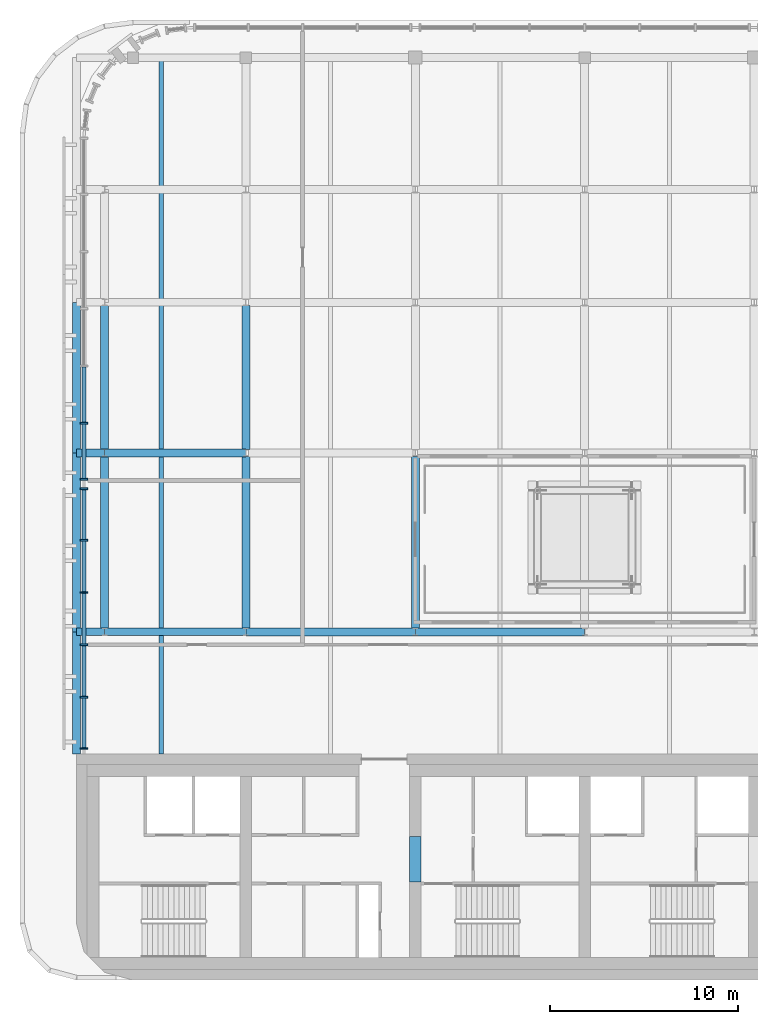
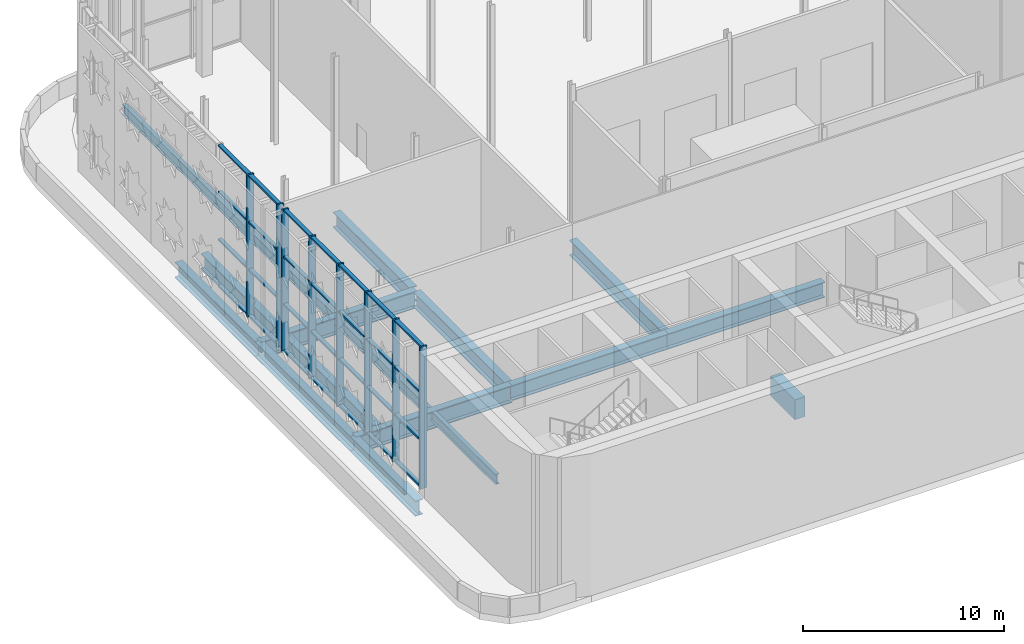
# One storey, part 5 of 26: 36 members, 16 beams, 2 elements without a shape of their own.
"""IFC4 building model written with IfcOpenShell, lengths in metres."""

from ifc_helpers import new_model, si_unit, direction, frame, origin, origin_2d, place, context, subcontext, project, spatial, rectangle, i_section, extrude, material, material_profile, profile_set, type_object, element, aggregate, save


model = new_model("IFC4")

# Units and contexts
model_context = context("Model", 3, precision=1e-05, world=origin(), true_north=direction((0.0, 1.0)))
body_context = subcontext(model_context, "Body", "Model", "MODEL_VIEW")
ifc_project = project(units=[si_unit("LENGTHUNIT", "METRE"), si_unit("AREAUNIT", "SQUARE_METRE"), si_unit("VOLUMEUNIT", "CUBIC_METRE"), si_unit("PLANEANGLEUNIT", "RADIAN"), si_unit("MASSUNIT", "GRAM", prefix="KILO")], contexts=[model_context])

# Site, building, storey
site_placement = place(None, origin())
site = spatial("IfcSite", under=ifc_project, at=site_placement, CompositionType="ELEMENT")
building_placement = place(site_placement, origin())
building = spatial("IfcBuilding", under=site, at=building_placement, Name="Zellij Exchange Tower", CompositionType="ELEMENT")
storey_placement = place(building_placement, frame((0.0, 0.0, 296.5)))
storey = spatial("IfcBuildingStorey", under=building, at=storey_placement, Name="L70", CompositionType="ELEMENT", Elevation=296.5)

# Beam
ifc_material_1 = material(Name="Concrete C50/60", Category="concrete")
ifc_material_profile_1 = material_profile(ifc_material_1, rectangle(XDim=0.60009765625, YDim=1.199951171875, at=origin_2d()), Name="CORE-CB 600x1200 C50/60")
ifc_profile_set_1 = profile_set([ifc_material_profile_1], Name="Concrete C50/60")
beam_type_1 = type_object("IfcBeamType", Name="CORE-CB 600x1200 C50/60", PredefinedType="BEAM", material=ifc_profile_set_1)
beam_1_placement = place(storey_placement, frame((-9.0, -8.800048828125, 3.0), z_axis=(0.0, 1.0, 0.0), x_axis=(-1.0, 0.0, 0.0)))
element("IfcBeam", 1, at=beam_1_placement, inside=storey, type_object=beam_type_1, Name="Core coupling beam x -9 L70", PredefinedType="BEAM", context=body_context, shape_type="SweptSolid", body=[
    extrude(rectangle(XDim=0.60009765625, YDim=1.199951171875, at=origin_2d()), origin(), (0.0, 0.0, 1.0), 2.425048828125),
])

# Curtain wall, members
ifc_material_2 = material(Name="Bronze anodised aluminium frame, bronze laminated glass", Category="aluminium")
curtain_wall_type = type_object("IfcCurtainWallType", Name="ENV-CW5 Damper-gallery glazing", PredefinedType="NOTDEFINED", material=ifc_material_2)
curtain_wall_1_placement = place(storey_placement, origin())
curtain_wall_1 = element("IfcCurtainWall", 2, at=curtain_wall_1_placement, inside=storey, type_object=curtain_wall_type, Name="cw.L70.18a", PredefinedType="NOTDEFINED")
ifc_material_3 = material(Name="Aluminium, bronze anodised", Category="aluminium")
ifc_material_profile_2 = material_profile(ifc_material_3, rectangle(XDim=0.10009765625, YDim=0.39990234375, at=origin_2d()), Name="AL 100x400")
ifc_profile_set_2 = profile_set([ifc_material_profile_2], Name="Aluminium, bronze anodised")
member_type_1 = type_object("IfcMemberType", Name="ENV-CW5M Mullion 100x400", PredefinedType="MULLION", material=ifc_profile_set_2)
member_1_placement = place(storey_placement, frame((-26.60009765625, 15.580810546875, 0.0), z_axis=(0.0, 0.0, 1.0), x_axis=(0.0, -1.0, 0.0)))
member_1 = element("IfcMember", 3, at=member_1_placement, type_object=member_type_1, Name="CW5 mullion 6", PredefinedType="MULLION", context=body_context, shape_type="SweptSolid", body=[
    extrude(rectangle(XDim=0.10009765625, YDim=0.39990234375, at=origin_2d()), origin(), (0.0, 0.0, 1.0), 8.64990234375),
])
member_2_placement = place(storey_placement, frame((-26.60009765625, 12.59228515625, 0.0), z_axis=(0.0, 0.0, 1.0), x_axis=(0.0, -1.0, 0.0)))
member_2 = element("IfcMember", 4, at=member_2_placement, type_object=member_type_1, Name="CW5 mullion 7", PredefinedType="MULLION", context=body_context, shape_type="SweptSolid", body=[
    extrude(rectangle(XDim=0.10009765625, YDim=0.39990234375, at=origin_2d()), origin(), (0.0, 0.0, 1.0), 8.64990234375),
])

curtain_wall_2_placement = place(storey_placement, origin())
curtain_wall_2 = element("IfcCurtainWall", 5, at=curtain_wall_2_placement, inside=storey, type_object=curtain_wall_type, Name="cw.L70.18b", PredefinedType="NOTDEFINED")
member_3_placement = place(storey_placement, frame((-26.60009765625, 12.09228515625, 0.0), z_axis=(0.0, 0.0, 1.0), x_axis=(0.0, -1.0, 0.0)))
member_3 = element("IfcMember", 6, at=member_3_placement, type_object=member_type_1, Name="CW5 mullion 1", PredefinedType="MULLION", context=body_context, shape_type="SweptSolid", body=[
    extrude(rectangle(XDim=0.10009765625, YDim=0.39990234375, at=origin_2d()), origin(), (0.0, 0.0, 1.0), 8.64990234375),
])
member_4_placement = place(storey_placement, frame((-26.60009765625, 9.36376953125, 0.0), z_axis=(0.0, 0.0, 1.0), x_axis=(0.0, -1.0, 0.0)))
member_4 = element("IfcMember", 7, at=member_4_placement, type_object=member_type_1, Name="CW5 mullion 2", PredefinedType="MULLION", context=body_context, shape_type="SweptSolid", body=[
    extrude(rectangle(XDim=0.10009765625, YDim=0.39990234375, at=origin_2d()), origin(), (0.0, 0.0, 1.0), 8.64990234375),
])
member_5_placement = place(storey_placement, frame((-26.60009765625, 6.585205078125, 0.0), z_axis=(0.0, 0.0, 1.0), x_axis=(0.0, -1.0, 0.0)))
member_5 = element("IfcMember", 8, at=member_5_placement, type_object=member_type_1, Name="CW5 mullion 3", PredefinedType="MULLION", context=body_context, shape_type="SweptSolid", body=[
    extrude(rectangle(XDim=0.10009765625, YDim=0.39990234375, at=origin_2d()), origin(), (0.0, 0.0, 1.0), 8.64990234375),
])
member_6_placement = place(storey_placement, frame((-26.60009765625, 3.806884765625, 0.0), z_axis=(0.0, 0.0, 1.0), x_axis=(0.0, -1.0, 0.0)))
member_6 = element("IfcMember", 9, at=member_6_placement, type_object=member_type_1, Name="CW5 mullion 4", PredefinedType="MULLION", context=body_context, shape_type="SweptSolid", body=[
    extrude(rectangle(XDim=0.10009765625, YDim=0.39990234375, at=origin_2d()), origin(), (0.0, 0.0, 1.0), 8.64990234375),
])
member_7_placement = place(storey_placement, frame((-26.60009765625, 1.0283203125, 0.0), z_axis=(0.0, 0.0, 1.0), x_axis=(0.0, -1.0, 0.0)))
member_7 = element("IfcMember", 10, at=member_7_placement, type_object=member_type_1, Name="CW5 mullion 5", PredefinedType="MULLION", context=body_context, shape_type="SweptSolid", body=[
    extrude(rectangle(XDim=0.10009765625, YDim=0.39990234375, at=origin_2d()), origin(), (0.0, 0.0, 1.0), 8.64990234375),
])
member_8_placement = place(storey_placement, frame((-26.60009765625, -1.699951171875, 0.0), z_axis=(0.0, 0.0, 1.0), x_axis=(0.0, -1.0, 0.0)))
member_8 = element("IfcMember", 11, at=member_8_placement, type_object=member_type_1, Name="CW5 mullion 6", PredefinedType="MULLION", context=body_context, shape_type="SweptSolid", body=[
    extrude(rectangle(XDim=0.10009765625, YDim=0.39990234375, at=origin_2d()), origin(), (0.0, 0.0, 1.0), 8.64990234375),
])

# Member
ifc_material_profile_3 = material_profile(ifc_material_3, rectangle(XDim=0.219970703125, YDim=0.10009765625, at=origin_2d()), Name="AL 220x100")
ifc_profile_set_3 = profile_set([ifc_material_profile_3], Name="Aluminium, bronze anodised")
member_type_2 = type_object("IfcMemberType", Name="ENV-CW5T Transom 220x100", PredefinedType="USERDEFINED", material=ifc_profile_set_3)
member_9_placement = place(storey_placement, frame((-26.60009765625, 18.5693359375, 0.050048828125), z_axis=(0.0, -1.0, 0.0), x_axis=(1.0, 0.0, 0.0)))
member_9 = element("IfcMember", 12, at=member_9_placement, type_object=member_type_2, Name="CW5 transom 5.1", ObjectType="TRANSOM", PredefinedType="USERDEFINED", context=body_context, shape_type="SweptSolid", body=[
    extrude(rectangle(XDim=0.219970703125, YDim=0.10009765625, at=origin_2d()), origin(), (0.0, 0.0, 1.0), 2.9384765625),
])

member_10_placement = place(storey_placement, frame((-26.60009765625, 18.5693359375, 2.88330078125), z_axis=(0.0, -1.0, 0.0), x_axis=(1.0, 0.0, 0.0)))
member_10 = element("IfcMember", 13, at=member_10_placement, type_object=member_type_2, Name="CW5 transom 5.2", ObjectType="TRANSOM", PredefinedType="USERDEFINED", context=body_context, shape_type="SweptSolid", body=[
    extrude(rectangle(XDim=0.219970703125, YDim=0.10009765625, at=origin_2d()), origin(), (0.0, 0.0, 1.0), 2.9384765625),
])

member_11_placement = place(storey_placement, frame((-26.60009765625, 18.5693359375, 5.7666015625), z_axis=(0.0, -1.0, 0.0), x_axis=(1.0, 0.0, 0.0)))
member_11 = element("IfcMember", 14, at=member_11_placement, type_object=member_type_2, Name="CW5 transom 5.3", ObjectType="TRANSOM", PredefinedType="USERDEFINED", context=body_context, shape_type="SweptSolid", body=[
    extrude(rectangle(XDim=0.219970703125, YDim=0.10009765625, at=origin_2d()), origin(), (0.0, 0.0, 1.0), 2.9384765625),
])

member_12_placement = place(storey_placement, frame((-26.60009765625, 18.5693359375, 8.60009765625), z_axis=(0.0, -1.0, 0.0), x_axis=(1.0, 0.0, 0.0)))
member_12 = element("IfcMember", 15, at=member_12_placement, type_object=member_type_2, Name="CW5 transom 5.4", ObjectType="TRANSOM", PredefinedType="USERDEFINED", context=body_context, shape_type="SweptSolid", body=[
    extrude(rectangle(XDim=0.219970703125, YDim=0.10009765625, at=origin_2d()), origin(), (0.0, 0.0, 1.0), 2.9384765625),
])

member_13_placement = place(storey_placement, frame((-26.60009765625, 15.53076171875, 0.050048828125), z_axis=(0.0, -1.0, 0.0), x_axis=(1.0, 0.0, 0.0)))
member_13 = element("IfcMember", 16, at=member_13_placement, type_object=member_type_2, Name="CW5 transom 6.1", ObjectType="TRANSOM", PredefinedType="USERDEFINED", context=body_context, shape_type="SweptSolid", body=[
    extrude(rectangle(XDim=0.219970703125, YDim=0.10009765625, at=origin_2d()), origin(), (0.0, 0.0, 1.0), 2.888671875),
])

member_14_placement = place(storey_placement, frame((-26.60009765625, 15.53076171875, 2.88330078125), z_axis=(0.0, -1.0, 0.0), x_axis=(1.0, 0.0, 0.0)))
member_14 = element("IfcMember", 17, at=member_14_placement, type_object=member_type_2, Name="CW5 transom 6.2", ObjectType="TRANSOM", PredefinedType="USERDEFINED", context=body_context, shape_type="SweptSolid", body=[
    extrude(rectangle(XDim=0.219970703125, YDim=0.10009765625, at=origin_2d()), origin(), (0.0, 0.0, 1.0), 2.888671875),
])

member_15_placement = place(storey_placement, frame((-26.60009765625, 15.53076171875, 5.7666015625), z_axis=(0.0, -1.0, 0.0), x_axis=(1.0, 0.0, 0.0)))
member_15 = element("IfcMember", 18, at=member_15_placement, type_object=member_type_2, Name="CW5 transom 6.3", ObjectType="TRANSOM", PredefinedType="USERDEFINED", context=body_context, shape_type="SweptSolid", body=[
    extrude(rectangle(XDim=0.219970703125, YDim=0.10009765625, at=origin_2d()), origin(), (0.0, 0.0, 1.0), 2.888671875),
])

member_16_placement = place(storey_placement, frame((-26.60009765625, 15.53076171875, 8.60009765625), z_axis=(0.0, -1.0, 0.0), x_axis=(1.0, 0.0, 0.0)))
member_16 = element("IfcMember", 19, at=member_16_placement, type_object=member_type_2, Name="CW5 transom 6.4", ObjectType="TRANSOM", PredefinedType="USERDEFINED", context=body_context, shape_type="SweptSolid", body=[
    extrude(rectangle(XDim=0.219970703125, YDim=0.10009765625, at=origin_2d()), origin(), (0.0, 0.0, 1.0), 2.888671875),
])

aggregate(curtain_wall_1, [member_1, member_2, member_9, member_10, member_11, member_12, member_13, member_14, member_15, member_16])

member_17_placement = place(storey_placement, frame((-26.60009765625, 12.042236328125, 0.050048828125), z_axis=(0.0, -1.0, 0.0), x_axis=(1.0, 0.0, 0.0)))
member_17 = element("IfcMember", 20, at=member_17_placement, type_object=member_type_2, Name="CW5 transom 1.1", ObjectType="TRANSOM", PredefinedType="USERDEFINED", context=body_context, shape_type="SweptSolid", body=[
    extrude(rectangle(XDim=0.219970703125, YDim=0.10009765625, at=origin_2d()), origin(), (0.0, 0.0, 1.0), 2.62841796875),
])

member_18_placement = place(storey_placement, frame((-26.60009765625, 12.042236328125, 2.88330078125), z_axis=(0.0, -1.0, 0.0), x_axis=(1.0, 0.0, 0.0)))
member_18 = element("IfcMember", 21, at=member_18_placement, type_object=member_type_2, Name="CW5 transom 1.2", ObjectType="TRANSOM", PredefinedType="USERDEFINED", context=body_context, shape_type="SweptSolid", body=[
    extrude(rectangle(XDim=0.219970703125, YDim=0.10009765625, at=origin_2d()), origin(), (0.0, 0.0, 1.0), 2.62841796875),
])

member_19_placement = place(storey_placement, frame((-26.60009765625, 12.042236328125, 5.7666015625), z_axis=(0.0, -1.0, 0.0), x_axis=(1.0, 0.0, 0.0)))
member_19 = element("IfcMember", 22, at=member_19_placement, type_object=member_type_2, Name="CW5 transom 1.3", ObjectType="TRANSOM", PredefinedType="USERDEFINED", context=body_context, shape_type="SweptSolid", body=[
    extrude(rectangle(XDim=0.219970703125, YDim=0.10009765625, at=origin_2d()), origin(), (0.0, 0.0, 1.0), 2.62841796875),
])

member_20_placement = place(storey_placement, frame((-26.60009765625, 12.042236328125, 8.60009765625), z_axis=(0.0, -1.0, 0.0), x_axis=(1.0, 0.0, 0.0)))
member_20 = element("IfcMember", 23, at=member_20_placement, type_object=member_type_2, Name="CW5 transom 1.4", ObjectType="TRANSOM", PredefinedType="USERDEFINED", context=body_context, shape_type="SweptSolid", body=[
    extrude(rectangle(XDim=0.219970703125, YDim=0.10009765625, at=origin_2d()), origin(), (0.0, 0.0, 1.0), 2.62841796875),
])

member_21_placement = place(storey_placement, frame((-26.60009765625, 9.313720703125, 0.050048828125), z_axis=(0.0, -1.0, 0.0), x_axis=(1.0, 0.0, 0.0)))
member_21 = element("IfcMember", 24, at=member_21_placement, type_object=member_type_2, Name="CW5 transom 2.1", ObjectType="TRANSOM", PredefinedType="USERDEFINED", context=body_context, shape_type="SweptSolid", body=[
    extrude(rectangle(XDim=0.219970703125, YDim=0.10009765625, at=origin_2d()), origin(), (0.0, 0.0, 1.0), 2.678466796875),
])

member_22_placement = place(storey_placement, frame((-26.60009765625, 9.313720703125, 2.88330078125), z_axis=(0.0, -1.0, 0.0), x_axis=(1.0, 0.0, 0.0)))
member_22 = element("IfcMember", 25, at=member_22_placement, type_object=member_type_2, Name="CW5 transom 2.2", ObjectType="TRANSOM", PredefinedType="USERDEFINED", context=body_context, shape_type="SweptSolid", body=[
    extrude(rectangle(XDim=0.219970703125, YDim=0.10009765625, at=origin_2d()), origin(), (0.0, 0.0, 1.0), 2.678466796875),
])

member_23_placement = place(storey_placement, frame((-26.60009765625, 9.313720703125, 5.7666015625), z_axis=(0.0, -1.0, 0.0), x_axis=(1.0, 0.0, 0.0)))
member_23 = element("IfcMember", 26, at=member_23_placement, type_object=member_type_2, Name="CW5 transom 2.3", ObjectType="TRANSOM", PredefinedType="USERDEFINED", context=body_context, shape_type="SweptSolid", body=[
    extrude(rectangle(XDim=0.219970703125, YDim=0.10009765625, at=origin_2d()), origin(), (0.0, 0.0, 1.0), 2.678466796875),
])

member_24_placement = place(storey_placement, frame((-26.60009765625, 9.313720703125, 8.60009765625), z_axis=(0.0, -1.0, 0.0), x_axis=(1.0, 0.0, 0.0)))
member_24 = element("IfcMember", 27, at=member_24_placement, type_object=member_type_2, Name="CW5 transom 2.4", ObjectType="TRANSOM", PredefinedType="USERDEFINED", context=body_context, shape_type="SweptSolid", body=[
    extrude(rectangle(XDim=0.219970703125, YDim=0.10009765625, at=origin_2d()), origin(), (0.0, 0.0, 1.0), 2.678466796875),
])

member_25_placement = place(storey_placement, frame((-26.60009765625, 6.535400390625, 0.050048828125), z_axis=(0.0, -1.0, 0.0), x_axis=(1.0, 0.0, 0.0)))
member_25 = element("IfcMember", 28, at=member_25_placement, type_object=member_type_2, Name="CW5 transom 3.1", ObjectType="TRANSOM", PredefinedType="USERDEFINED", context=body_context, shape_type="SweptSolid", body=[
    extrude(rectangle(XDim=0.219970703125, YDim=0.10009765625, at=origin_2d()), origin(), (0.0, 0.0, 1.0), 2.678466796875),
])

member_26_placement = place(storey_placement, frame((-26.60009765625, 6.535400390625, 2.88330078125), z_axis=(0.0, -1.0, 0.0), x_axis=(1.0, 0.0, 0.0)))
member_26 = element("IfcMember", 29, at=member_26_placement, type_object=member_type_2, Name="CW5 transom 3.2", ObjectType="TRANSOM", PredefinedType="USERDEFINED", context=body_context, shape_type="SweptSolid", body=[
    extrude(rectangle(XDim=0.219970703125, YDim=0.10009765625, at=origin_2d()), origin(), (0.0, 0.0, 1.0), 2.678466796875),
])

member_27_placement = place(storey_placement, frame((-26.60009765625, 6.535400390625, 5.7666015625), z_axis=(0.0, -1.0, 0.0), x_axis=(1.0, 0.0, 0.0)))
member_27 = element("IfcMember", 30, at=member_27_placement, type_object=member_type_2, Name="CW5 transom 3.3", ObjectType="TRANSOM", PredefinedType="USERDEFINED", context=body_context, shape_type="SweptSolid", body=[
    extrude(rectangle(XDim=0.219970703125, YDim=0.10009765625, at=origin_2d()), origin(), (0.0, 0.0, 1.0), 2.678466796875),
])

member_28_placement = place(storey_placement, frame((-26.60009765625, 6.535400390625, 8.60009765625), z_axis=(0.0, -1.0, 0.0), x_axis=(1.0, 0.0, 0.0)))
member_28 = element("IfcMember", 31, at=member_28_placement, type_object=member_type_2, Name="CW5 transom 3.4", ObjectType="TRANSOM", PredefinedType="USERDEFINED", context=body_context, shape_type="SweptSolid", body=[
    extrude(rectangle(XDim=0.219970703125, YDim=0.10009765625, at=origin_2d()), origin(), (0.0, 0.0, 1.0), 2.678466796875),
])

member_29_placement = place(storey_placement, frame((-26.60009765625, 3.7568359375, 0.050048828125), z_axis=(0.0, -1.0, 0.0), x_axis=(1.0, 0.0, 0.0)))
member_29 = element("IfcMember", 32, at=member_29_placement, type_object=member_type_2, Name="CW5 transom 4.1", ObjectType="TRANSOM", PredefinedType="USERDEFINED", context=body_context, shape_type="SweptSolid", body=[
    extrude(rectangle(XDim=0.219970703125, YDim=0.10009765625, at=origin_2d()), origin(), (0.0, 0.0, 1.0), 2.678466796875),
])

member_30_placement = place(storey_placement, frame((-26.60009765625, 3.7568359375, 2.88330078125), z_axis=(0.0, -1.0, 0.0), x_axis=(1.0, 0.0, 0.0)))
member_30 = element("IfcMember", 33, at=member_30_placement, type_object=member_type_2, Name="CW5 transom 4.2", ObjectType="TRANSOM", PredefinedType="USERDEFINED", context=body_context, shape_type="SweptSolid", body=[
    extrude(rectangle(XDim=0.219970703125, YDim=0.10009765625, at=origin_2d()), origin(), (0.0, 0.0, 1.0), 2.678466796875),
])

member_31_placement = place(storey_placement, frame((-26.60009765625, 3.7568359375, 5.7666015625), z_axis=(0.0, -1.0, 0.0), x_axis=(1.0, 0.0, 0.0)))
member_31 = element("IfcMember", 34, at=member_31_placement, type_object=member_type_2, Name="CW5 transom 4.3", ObjectType="TRANSOM", PredefinedType="USERDEFINED", context=body_context, shape_type="SweptSolid", body=[
    extrude(rectangle(XDim=0.219970703125, YDim=0.10009765625, at=origin_2d()), origin(), (0.0, 0.0, 1.0), 2.678466796875),
])

member_32_placement = place(storey_placement, frame((-26.60009765625, 3.7568359375, 8.60009765625), z_axis=(0.0, -1.0, 0.0), x_axis=(1.0, 0.0, 0.0)))
member_32 = element("IfcMember", 35, at=member_32_placement, type_object=member_type_2, Name="CW5 transom 4.4", ObjectType="TRANSOM", PredefinedType="USERDEFINED", context=body_context, shape_type="SweptSolid", body=[
    extrude(rectangle(XDim=0.219970703125, YDim=0.10009765625, at=origin_2d()), origin(), (0.0, 0.0, 1.0), 2.678466796875),
])

member_33_placement = place(storey_placement, frame((-26.60009765625, 0.978515625, 0.050048828125), z_axis=(0.0, -1.0, 0.0), x_axis=(1.0, 0.0, 0.0)))
member_33 = element("IfcMember", 36, at=member_33_placement, type_object=member_type_2, Name="CW5 transom 5.1", ObjectType="TRANSOM", PredefinedType="USERDEFINED", context=body_context, shape_type="SweptSolid", body=[
    extrude(rectangle(XDim=0.219970703125, YDim=0.10009765625, at=origin_2d()), origin(), (0.0, 0.0, 1.0), 2.62841796875),
])

member_34_placement = place(storey_placement, frame((-26.60009765625, 0.978515625, 2.88330078125), z_axis=(0.0, -1.0, 0.0), x_axis=(1.0, 0.0, 0.0)))
member_34 = element("IfcMember", 37, at=member_34_placement, type_object=member_type_2, Name="CW5 transom 5.2", ObjectType="TRANSOM", PredefinedType="USERDEFINED", context=body_context, shape_type="SweptSolid", body=[
    extrude(rectangle(XDim=0.219970703125, YDim=0.10009765625, at=origin_2d()), origin(), (0.0, 0.0, 1.0), 2.62841796875),
])

member_35_placement = place(storey_placement, frame((-26.60009765625, 0.978515625, 5.7666015625), z_axis=(0.0, -1.0, 0.0), x_axis=(1.0, 0.0, 0.0)))
member_35 = element("IfcMember", 38, at=member_35_placement, type_object=member_type_2, Name="CW5 transom 5.3", ObjectType="TRANSOM", PredefinedType="USERDEFINED", context=body_context, shape_type="SweptSolid", body=[
    extrude(rectangle(XDim=0.219970703125, YDim=0.10009765625, at=origin_2d()), origin(), (0.0, 0.0, 1.0), 2.62841796875),
])

member_36_placement = place(storey_placement, frame((-26.60009765625, 0.978515625, 8.60009765625), z_axis=(0.0, -1.0, 0.0), x_axis=(1.0, 0.0, 0.0)))
member_36 = element("IfcMember", 39, at=member_36_placement, type_object=member_type_2, Name="CW5 transom 5.4", ObjectType="TRANSOM", PredefinedType="USERDEFINED", context=body_context, shape_type="SweptSolid", body=[
    extrude(rectangle(XDim=0.219970703125, YDim=0.10009765625, at=origin_2d()), origin(), (0.0, 0.0, 1.0), 2.62841796875),
])

aggregate(curtain_wall_2, [member_3, member_4, member_5, member_6, member_7, member_8, member_17, member_18, member_19, member_20, member_21, member_22, member_23, member_24, member_25, member_26, member_27, member_28, member_29, member_30, member_31, member_32, member_33, member_34, member_35, member_36])

# Beams
ifc_material_4 = material(Name="Structural steel ASTM A992 Gr 50", Category="steel")
ifc_material_profile_4 = material_profile(ifc_material_4, i_section(OverallWidth=0.22900390625, OverallDepth=0.612060546875, WebThickness=0.011962890625, FlangeThickness=0.01953125, at=origin_2d()), Name="W24x84")
ifc_profile_set_4 = profile_set([ifc_material_profile_4], Name="Structural steel ASTM A992 Gr 50")
beam_type_2 = type_object("IfcBeamType", Name="STR-BEAM W24x84", PredefinedType="BEAM", material=ifc_profile_set_4)
beam_2_placement = place(storey_placement, frame((-22.5, -2.0, -0.7060546875), z_axis=(0.0, 1.0, 0.0), x_axis=(-1.0, 0.0, 0.0)))
element("IfcBeam", 40, at=beam_2_placement, inside=storey, type_object=beam_type_2, Name="B6", PredefinedType="BEAM", context=body_context, shape_type="SweptSolid", body=[
    extrude(i_section(OverallWidth=0.22900390625, OverallDepth=0.612060546875, WebThickness=0.011962890625, FlangeThickness=0.01953125, at=origin_2d()), origin(), (0.0, 0.0, 1.0), 37.20458984375),
])
ifc_material_5 = material(Name="Structural steel ASTM A913 Gr 65", Category="steel")
ifc_material_profile_5 = material_profile(ifc_material_5, i_section(OverallWidth=0.424072265625, OverallDepth=0.93212890625, WebThickness=0.02392578125, FlangeThickness=0.042724609375, at=origin_2d()), Name="W36x300")
ifc_profile_set_5 = profile_set([ifc_material_profile_5], Name="Structural steel ASTM A913 Gr 65")
beam_type_3 = type_object("IfcBeamType", Name="STR-GIRDER W36x300", PredefinedType="BEAM", material=ifc_profile_set_5)
for number, where, z_axis, x_axis, name in (
    (41, (-18.0, 4.5, -0.8662109375), (1.0, 0.0, 0.0), (0.0, 1.0, 0.0), "G5"),
    (42, (-9.0, 4.5, -0.8662109375), (1.0, 0.0, 0.0), (0.0, 1.0, 0.0), "G5"),
):
    element("IfcBeam", number, at=place(storey_placement, frame(where, z_axis=z_axis, x_axis=x_axis)), inside=storey, type_object=beam_type_3, Name=name, PredefinedType="BEAM", context=body_context, shape_type="SweptSolid", body=[
        extrude(i_section(OverallWidth=0.424072265625, OverallDepth=0.93212890625, WebThickness=0.02392578125, FlangeThickness=0.042724609375, at=origin_2d()), origin(), (0.0, 0.0, 1.0), 9.0),
    ])
beam_3_placement = place(storey_placement, frame((-27.0, -2.0, -0.8662109375), z_axis=(0.0, 1.0, 0.0), x_axis=(-1.0, 0.0, 0.0)))
element("IfcBeam", 43, at=beam_3_placement, inside=storey, type_object=beam_type_3, Name="G5", PredefinedType="BEAM", context=body_context, shape_type="SweptSolid", body=[
    extrude(i_section(OverallWidth=0.424072265625, OverallDepth=0.93212890625, WebThickness=0.02392578125, FlangeThickness=0.042724609375, at=origin_2d()), origin(), (0.0, 0.0, 1.0), 6.5),
])
beam_4_placement = place(storey_placement, frame((-27.0, 4.5, -0.8662109375), z_axis=(0.0, 1.0, 0.0), x_axis=(-1.0, 0.0, 0.0)))
element("IfcBeam", 44, at=beam_4_placement, inside=storey, type_object=beam_type_3, Name="G5", PredefinedType="BEAM", context=body_context, shape_type="SweptSolid", body=[
    extrude(i_section(OverallWidth=0.424072265625, OverallDepth=0.93212890625, WebThickness=0.02392578125, FlangeThickness=0.042724609375, at=origin_2d()), origin(), (0.0, 0.0, 1.0), 9.5),
])
beam_5_placement = place(storey_placement, frame((-27.0, 14.0, -0.8662109375), z_axis=(0.0, 1.0, 0.0), x_axis=(-1.0, 0.0, 0.0)))
element("IfcBeam", 45, at=beam_5_placement, inside=storey, type_object=beam_type_3, Name="G5", PredefinedType="BEAM", context=body_context, shape_type="SweptSolid", body=[
    extrude(i_section(OverallWidth=0.424072265625, OverallDepth=0.93212890625, WebThickness=0.02392578125, FlangeThickness=0.042724609375, at=origin_2d()), origin(), (0.0, 0.0, 1.0), 8.0),
])
beam_6_placement = place(storey_placement, frame((-25.5, 4.5, -0.8662109375), z_axis=(0.0, 1.0, 0.0), x_axis=(-1.0, 0.0, 0.0)))
element("IfcBeam", 46, at=beam_6_placement, inside=storey, type_object=beam_type_3, Name="G5", PredefinedType="BEAM", context=body_context, shape_type="SweptSolid", body=[
    extrude(i_section(OverallWidth=0.424072265625, OverallDepth=0.93212890625, WebThickness=0.02392578125, FlangeThickness=0.042724609375, at=origin_2d()), origin(), (0.0, 0.0, 1.0), 9.5),
])
beam_7_placement = place(storey_placement, frame((-25.5, 14.0, -0.8662109375), z_axis=(0.0, 1.0, 0.0), x_axis=(-1.0, 0.0, 0.0)))
element("IfcBeam", 47, at=beam_7_placement, inside=storey, type_object=beam_type_3, Name="G5", PredefinedType="BEAM", context=body_context, shape_type="SweptSolid", body=[
    extrude(i_section(OverallWidth=0.424072265625, OverallDepth=0.93212890625, WebThickness=0.02392578125, FlangeThickness=0.042724609375, at=origin_2d()), origin(), (0.0, 0.0, 1.0), 8.0),
])
beam_8_placement = place(storey_placement, frame((-18.0, 4.5, -0.8662109375), z_axis=(0.0, 1.0, 0.0), x_axis=(-1.0, 0.0, 0.0)))
element("IfcBeam", 48, at=beam_8_placement, inside=storey, type_object=beam_type_3, Name="G5", PredefinedType="BEAM", context=body_context, shape_type="SweptSolid", body=[
    extrude(i_section(OverallWidth=0.424072265625, OverallDepth=0.93212890625, WebThickness=0.02392578125, FlangeThickness=0.042724609375, at=origin_2d()), origin(), (0.0, 0.0, 1.0), 9.323486328125),
])
beam_9_placement = place(storey_placement, frame((-18.0, 14.176513671875, -0.8662109375), z_axis=(0.0, 1.0, 0.0), x_axis=(-1.0, 0.0, 0.0)))
element("IfcBeam", 49, at=beam_9_placement, inside=storey, type_object=beam_type_3, Name="G5", PredefinedType="BEAM", context=body_context, shape_type="SweptSolid", body=[
    extrude(i_section(OverallWidth=0.424072265625, OverallDepth=0.93212890625, WebThickness=0.02392578125, FlangeThickness=0.042724609375, at=origin_2d()), origin(), (0.0, 0.0, 1.0), 7.64697265625),
])
beam_10_placement = place(storey_placement, frame((-9.0, 4.5, -0.8662109375), z_axis=(0.0, 1.0, 0.0), x_axis=(-1.0, 0.0, 0.0)))
element("IfcBeam", 50, at=beam_10_placement, inside=storey, type_object=beam_type_3, Name="G5", PredefinedType="BEAM", context=body_context, shape_type="SweptSolid", body=[
    extrude(i_section(OverallWidth=0.424072265625, OverallDepth=0.93212890625, WebThickness=0.02392578125, FlangeThickness=0.042724609375, at=origin_2d()), origin(), (0.0, 0.0, 1.0), 9.323486328125),
])
ifc_material_profile_6 = material_profile(ifc_material_5, i_section(OverallWidth=0.408935546875, OverallDepth=1.04150390625, WebThickness=0.031005859375, FlangeThickness=0.055908203125, at=origin_2d()), Name="W40x397")
ifc_profile_set_6 = profile_set([ifc_material_profile_6], Name="Structural steel ASTM A913 Gr 65")
beam_type_4 = type_object("IfcBeamType", Name="STR-TRANSFER GIRDER W40x397", PredefinedType="BEAM", material=ifc_profile_set_6)
beam_11_placement = place(storey_placement, frame((-27.0, 4.5, -0.920654296875), z_axis=(1.0, 0.0, 0.0), x_axis=(0.0, 1.0, 0.0)))
element("IfcBeam", 51, at=beam_11_placement, inside=storey, type_object=beam_type_4, Name="TG6", PredefinedType="BEAM", context=body_context, shape_type="SweptSolid", body=[
    extrude(i_section(OverallWidth=0.408935546875, OverallDepth=1.04150390625, WebThickness=0.031005859375, FlangeThickness=0.055908203125, at=origin_2d()), origin(), (0.0, 0.0, 1.0), 1.5),
])
beam_12_placement = place(storey_placement, frame((-25.5, 4.5, -0.920654296875), z_axis=(1.0, 0.0, 0.0), x_axis=(0.0, 1.0, 0.0)))
element("IfcBeam", 52, at=beam_12_placement, inside=storey, type_object=beam_type_4, Name="TG6", PredefinedType="BEAM", context=body_context, shape_type="SweptSolid", body=[
    extrude(i_section(OverallWidth=0.408935546875, OverallDepth=1.04150390625, WebThickness=0.031005859375, FlangeThickness=0.055908203125, at=origin_2d()), origin(), (0.0, 0.0, 1.0), 7.5),
])
beam_13_placement = place(storey_placement, frame((-27.0, 14.0, -0.920654296875), z_axis=(1.0, 0.0, 0.0), x_axis=(0.0, 1.0, 0.0)))
element("IfcBeam", 53, at=beam_13_placement, inside=storey, type_object=beam_type_4, Name="TG6", PredefinedType="BEAM", context=body_context, shape_type="SweptSolid", body=[
    extrude(i_section(OverallWidth=0.408935546875, OverallDepth=1.04150390625, WebThickness=0.031005859375, FlangeThickness=0.055908203125, at=origin_2d()), origin(), (0.0, 0.0, 1.0), 1.5),
])
beam_14_placement = place(storey_placement, frame((-25.5, 14.0, -0.920654296875), z_axis=(1.0, 0.0, 0.0), x_axis=(0.0, 1.0, 0.0)))
element("IfcBeam", 54, at=beam_14_placement, inside=storey, type_object=beam_type_4, Name="TG6", PredefinedType="BEAM", context=body_context, shape_type="SweptSolid", body=[
    extrude(i_section(OverallWidth=0.408935546875, OverallDepth=1.04150390625, WebThickness=0.031005859375, FlangeThickness=0.055908203125, at=origin_2d()), origin(), (0.0, 0.0, 1.0), 7.5),
])

save(model, "model.ifc")
